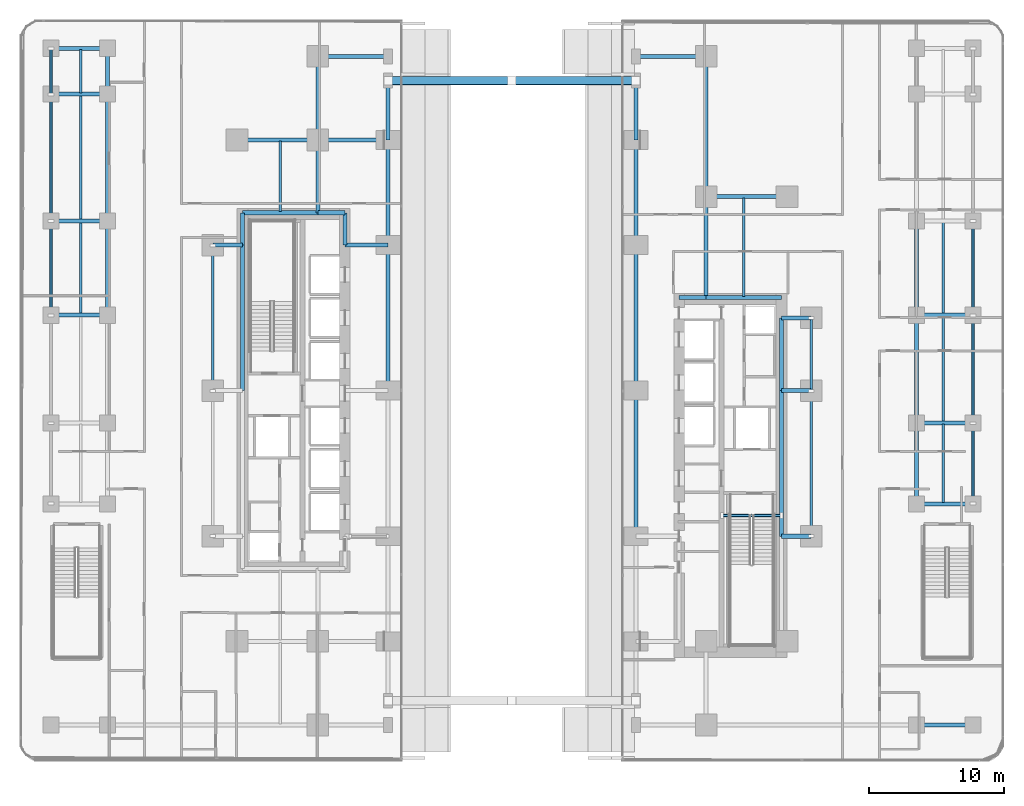
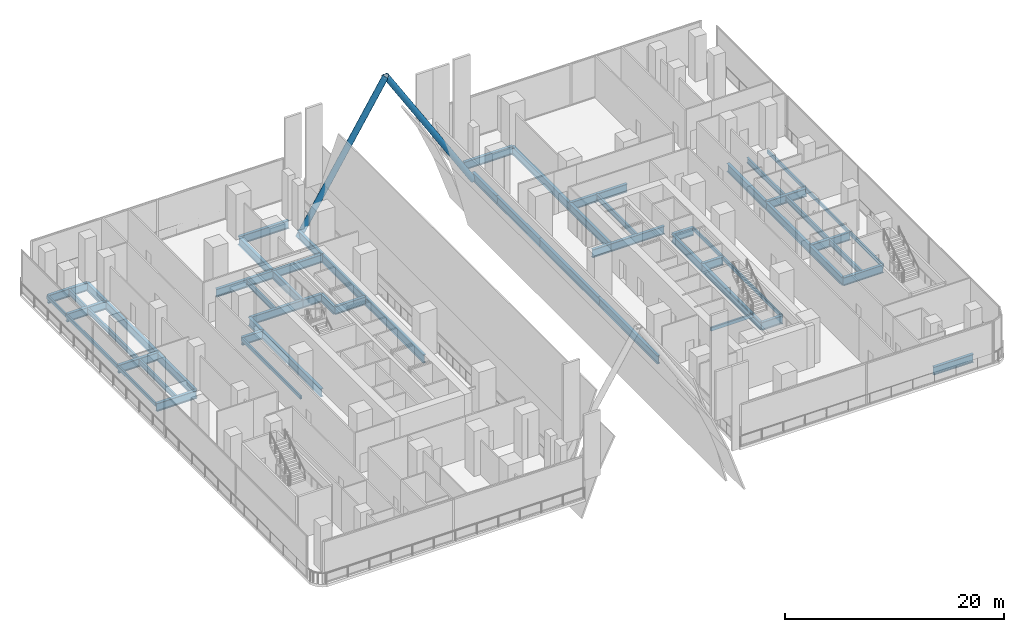
# One storey, part 2 of 31: 62 beams, 2 members.
"""IFC4 building model written with IfcOpenShell, lengths in metres."""

from ifc_helpers import new_model, si_unit, direction, frame, origin, origin_2d, place, context, subcontext, project, spatial, hollow_rectangle, hollow_circle, i_section, extrude, material, material_profile, profile_set, type_object, element, save


model = new_model("IFC4")

# Units and contexts
model_context = context("Model", 3, precision=1e-05, world=origin(), true_north=direction((0.0, 1.0)))
body_context = subcontext(model_context, "Body", "Model", "MODEL_VIEW")
ifc_project = project(units=[si_unit("LENGTHUNIT", "METRE"), si_unit("AREAUNIT", "SQUARE_METRE"), si_unit("VOLUMEUNIT", "CUBIC_METRE"), si_unit("PLANEANGLEUNIT", "RADIAN"), si_unit("MASSUNIT", "GRAM", prefix="KILO")], contexts=[model_context])

# Site, building, storey
site_placement = place(None, origin())
site = spatial("IfcSite", under=ifc_project, at=site_placement, CompositionType="ELEMENT")
building_placement = place(site_placement, origin())
building = spatial("IfcBuilding", under=site, at=building_placement, Name="Khairoan Windgate Tower", CompositionType="ELEMENT")
storey_placement = place(building_placement, frame((0.0, 0.0, 6.0)))
storey = spatial("IfcBuildingStorey", under=building, at=storey_placement, Name="L02", CompositionType="ELEMENT", Elevation=6.0)

# Beams
ifc_material_1 = material(Name="Steel S355", Category="steel")
ifc_material_profile_1 = material_profile(ifc_material_1, i_section(OverallWidth=0.300048828125, OverallDepth=0.89990234375, WebThickness=0.01611328125, FlangeThickness=0.028076171875, FilletRadius=0.028076171875, at=origin_2d()))
ifc_profile_set_1 = profile_set([ifc_material_profile_1], Name="Steel S355")
beam_type_1 = type_object("IfcBeamType", Name="Beam B-G1 H900x300x16x28", PredefinedType="BEAM", material=ifc_profile_set_1)
beam_1_placement = place(storey_placement, frame((30.0, -24.800048828125, -0.75), z_axis=(1.0, 0.0, 0.0), x_axis=(0.0, 1.0, 0.0)))
element("IfcBeam", 1, at=beam_1_placement, inside=storey, type_object=beam_type_1, Name="L02 E-W Primary Girder 06", PredefinedType="BEAM", context=body_context, shape_type="SweptSolid", body=[
    extrude(i_section(OverallWidth=0.300048828125, OverallDepth=0.89990234375, WebThickness=0.01611328125, FlangeThickness=0.028076171875, FilletRadius=0.028076171875, at=origin_2d()), origin(), (0.0, 0.0, 1.0), 4.199951171875),
])
beam_2_placement = place(storey_placement, frame((20.0, -10.800048828125, -0.75), z_axis=(1.0, 0.0, 0.0), x_axis=(0.0, 1.0, 0.0)))
element("IfcBeam", 2, at=beam_2_placement, inside=storey, type_object=beam_type_1, Name="L02 E-W Primary Girder 15", PredefinedType="BEAM", context=body_context, shape_type="SweptSolid", body=[
    extrude(i_section(OverallWidth=0.300048828125, OverallDepth=0.89990234375, WebThickness=0.01611328125, FlangeThickness=0.028076171875, FilletRadius=0.028076171875, at=origin_2d()), origin(), (0.0, 0.0, 1.0), 2.199951171875),
])
for number, where, z_axis, x_axis, name in (
    (3, (30.0, -8.39990234375, -0.75), (1.0, 0.0, 0.0), (0.0, 1.0, 0.0), "L02 E-W Primary Girder 17"),
    (4, (30.0, -2.39990234375, -0.75), (1.0, 0.0, 0.0), (0.0, 1.0, 0.0), "L02 E-W Primary Girder 19"),
):
    element("IfcBeam", number, at=place(storey_placement, frame(where, z_axis=z_axis, x_axis=x_axis)), inside=storey, type_object=beam_type_1, Name=name, PredefinedType="BEAM", context=body_context, shape_type="SweptSolid", body=[
        extrude(i_section(OverallWidth=0.300048828125, OverallDepth=0.89990234375, WebThickness=0.01611328125, FlangeThickness=0.028076171875, FilletRadius=0.028076171875, at=origin_2d()), origin(), (0.0, 0.0, 1.0), 4.199951171875),
    ])
for number, where, z_axis, x_axis, name in (
    (5, (20.0, 0.0, -0.75), (1.0, 0.0, 0.0), (0.0, 1.0, 0.0), "L02 E-W Primary Girder 22"),
    (6, (20.0, 5.39990234375, -0.75), (1.0, 0.0, 0.0), (0.0, 1.0, 0.0), "L02 E-W Primary Girder 23"),
):
    element("IfcBeam", number, at=place(storey_placement, frame(where, z_axis=z_axis, x_axis=x_axis)), inside=storey, type_object=beam_type_1, Name=name, PredefinedType="BEAM", context=body_context, shape_type="SweptSolid", body=[
        extrude(i_section(OverallWidth=0.300048828125, OverallDepth=0.89990234375, WebThickness=0.01611328125, FlangeThickness=0.028076171875, FilletRadius=0.028076171875, at=origin_2d()), origin(), (0.0, 0.0, 1.0), 2.199951171875),
    ])
for number, where, z_axis, x_axis, name in (
    (7, (-34.199951171875, 5.60009765625, -0.75), (1.0, 0.0, 0.0), (0.0, 1.0, 0.0), "L02 E-W Primary Girder 24"),
    (8, (30.0, 5.60009765625, -0.75), (1.0, 0.0, 0.0), (0.0, 1.0, 0.0), "L02 E-W Primary Girder 25"),
):
    element("IfcBeam", number, at=place(storey_placement, frame(where, z_axis=z_axis, x_axis=x_axis)), inside=storey, type_object=beam_type_1, Name=name, PredefinedType="BEAM", context=body_context, shape_type="SweptSolid", body=[
        extrude(i_section(OverallWidth=0.300048828125, OverallDepth=0.89990234375, WebThickness=0.01611328125, FlangeThickness=0.028076171875, FilletRadius=0.028076171875, at=origin_2d()), origin(), (0.0, 0.0, 1.0), 4.199951171875),
    ])
beam_3_placement = place(storey_placement, frame((12.39990234375, 6.89990234375, -0.75), z_axis=(1.0, 0.0, 0.0), x_axis=(0.0, 1.0, 0.0)))
element("IfcBeam", 9, at=beam_3_placement, inside=storey, type_object=beam_type_1, Name="L02 E-W Primary Girder 26", PredefinedType="BEAM", context=body_context, shape_type="SweptSolid", body=[
    extrude(i_section(OverallWidth=0.300048828125, OverallDepth=0.89990234375, WebThickness=0.01611328125, FlangeThickness=0.028076171875, FilletRadius=0.028076171875, at=origin_2d()), origin(), (0.0, 0.0, 1.0), 2.0),
])
beam_4_placement = place(storey_placement, frame((14.39990234375, 6.89990234375, -0.75), z_axis=(1.0, 0.0, 0.0), x_axis=(0.0, 1.0, 0.0)))
element("IfcBeam", 10, at=beam_4_placement, inside=storey, type_object=beam_type_1, Name="L02 E-W Primary Girder 27", PredefinedType="BEAM", context=body_context, shape_type="SweptSolid", body=[
    extrude(i_section(OverallWidth=0.300048828125, OverallDepth=0.89990234375, WebThickness=0.01611328125, FlangeThickness=0.028076171875, FilletRadius=0.028076171875, at=origin_2d()), origin(), (0.0, 0.0, 1.0), 5.60009765625),
])
beam_5_placement = place(storey_placement, frame((-22.199951171875, 10.800048828125, -0.75), z_axis=(1.0, 0.0, 0.0), x_axis=(0.0, 1.0, 0.0)))
element("IfcBeam", 11, at=beam_5_placement, inside=storey, type_object=beam_type_1, Name="L02 E-W Primary Girder 28", PredefinedType="BEAM", context=body_context, shape_type="SweptSolid", body=[
    extrude(i_section(OverallWidth=0.300048828125, OverallDepth=0.89990234375, WebThickness=0.01611328125, FlangeThickness=0.028076171875, FilletRadius=0.028076171875, at=origin_2d()), origin(), (0.0, 0.0, 1.0), 2.199951171875),
])
beam_6_placement = place(storey_placement, frame((-12.39990234375, 10.800048828125, -0.75), z_axis=(1.0, 0.0, 0.0), x_axis=(0.0, 1.0, 0.0)))
element("IfcBeam", 12, at=beam_6_placement, inside=storey, type_object=beam_type_1, Name="L02 E-W Primary Girder 29", PredefinedType="BEAM", context=body_context, shape_type="SweptSolid", body=[
    extrude(i_section(OverallWidth=0.300048828125, OverallDepth=0.89990234375, WebThickness=0.01611328125, FlangeThickness=0.028076171875, FilletRadius=0.028076171875, at=origin_2d()), origin(), (0.0, 0.0, 1.0), 3.199951171875),
])
beam_7_placement = place(storey_placement, frame((-34.199951171875, 12.60009765625, -0.75), z_axis=(1.0, 0.0, 0.0), x_axis=(0.0, 1.0, 0.0)))
element("IfcBeam", 13, at=beam_7_placement, inside=storey, type_object=beam_type_1, Name="L02 E-W Primary Girder 30", PredefinedType="BEAM", context=body_context, shape_type="SweptSolid", body=[
    extrude(i_section(OverallWidth=0.300048828125, OverallDepth=0.89990234375, WebThickness=0.01611328125, FlangeThickness=0.028076171875, FilletRadius=0.028076171875, at=origin_2d()), origin(), (0.0, 0.0, 1.0), 4.199951171875),
])
beam_8_placement = place(storey_placement, frame((-20.0, 13.199951171875, -0.75), z_axis=(1.0, 0.0, 0.0), x_axis=(0.0, 1.0, 0.0)))
element("IfcBeam", 14, at=beam_8_placement, inside=storey, type_object=beam_type_1, Name="L02 E-W Primary Girder 32", PredefinedType="BEAM", context=body_context, shape_type="SweptSolid", body=[
    extrude(i_section(OverallWidth=0.300048828125, OverallDepth=0.89990234375, WebThickness=0.01611328125, FlangeThickness=0.028076171875, FilletRadius=0.028076171875, at=origin_2d()), origin(), (0.0, 0.0, 1.0), 5.60009765625),
])
beam_9_placement = place(storey_placement, frame((-14.39990234375, 13.199951171875, -0.75), z_axis=(1.0, 0.0, 0.0), x_axis=(0.0, 1.0, 0.0)))
element("IfcBeam", 15, at=beam_9_placement, inside=storey, type_object=beam_type_1, Name="L02 E-W Primary Girder 33", PredefinedType="BEAM", context=body_context, shape_type="SweptSolid", body=[
    extrude(i_section(OverallWidth=0.300048828125, OverallDepth=0.89990234375, WebThickness=0.01611328125, FlangeThickness=0.028076171875, FilletRadius=0.028076171875, at=origin_2d()), origin(), (0.0, 0.0, 1.0), 2.0),
])
for number, where, z_axis, x_axis, name in (
    (16, (14.39990234375, 14.39990234375, -0.75), (1.0, 0.0, 0.0), (0.0, 1.0, 0.0), "L02 E-W Primary Girder 34"),
    (17, (-20.39990234375, 18.60009765625, -0.75), (1.0, 0.0, 0.0), (0.0, 1.0, 0.0), "L02 E-W Primary Girder 35"),
):
    element("IfcBeam", number, at=place(storey_placement, frame(where, z_axis=z_axis, x_axis=x_axis)), inside=storey, type_object=beam_type_1, Name=name, PredefinedType="BEAM", context=body_context, shape_type="SweptSolid", body=[
        extrude(i_section(OverallWidth=0.300048828125, OverallDepth=0.89990234375, WebThickness=0.01611328125, FlangeThickness=0.028076171875, FilletRadius=0.028076171875, at=origin_2d()), origin(), (0.0, 0.0, 1.0), 6.0),
    ])
beam_10_placement = place(storey_placement, frame((-14.39990234375, 18.60009765625, -0.75), z_axis=(1.0, 0.0, 0.0), x_axis=(0.0, 1.0, 0.0)))
element("IfcBeam", 18, at=beam_10_placement, inside=storey, type_object=beam_type_1, Name="L02 E-W Primary Girder 36", PredefinedType="BEAM", context=body_context, shape_type="SweptSolid", body=[
    extrude(i_section(OverallWidth=0.300048828125, OverallDepth=0.89990234375, WebThickness=0.01611328125, FlangeThickness=0.028076171875, FilletRadius=0.028076171875, at=origin_2d()), origin(), (0.0, 0.0, 1.0), 5.199951171875),
])
beam_11_placement = place(storey_placement, frame((-34.199951171875, 22.0, -0.75), z_axis=(1.0, 0.0, 0.0), x_axis=(0.0, 1.0, 0.0)))
element("IfcBeam", 19, at=beam_11_placement, inside=storey, type_object=beam_type_1, Name="L02 E-W Primary Girder 37", PredefinedType="BEAM", context=body_context, shape_type="SweptSolid", body=[
    extrude(i_section(OverallWidth=0.300048828125, OverallDepth=0.89990234375, WebThickness=0.01611328125, FlangeThickness=0.028076171875, FilletRadius=0.028076171875, at=origin_2d()), origin(), (0.0, 0.0, 1.0), 4.199951171875),
])
for number, where, z_axis, x_axis, name in (
    (20, (-14.39990234375, 24.800048828125, -0.75), (1.0, 0.0, 0.0), (0.0, 1.0, 0.0), "L02 E-W Primary Girder 39"),
    (21, (9.199951171875, 24.800048828125, -0.75), (1.0, 0.0, 0.0), (0.0, 1.0, 0.0), "L02 E-W Primary Girder 40"),
):
    element("IfcBeam", number, at=place(storey_placement, frame(where, z_axis=z_axis, x_axis=x_axis)), inside=storey, type_object=beam_type_1, Name=name, PredefinedType="BEAM", context=body_context, shape_type="SweptSolid", body=[
        extrude(i_section(OverallWidth=0.300048828125, OverallDepth=0.89990234375, WebThickness=0.01611328125, FlangeThickness=0.028076171875, FilletRadius=0.028076171875, at=origin_2d()), origin(), (0.0, 0.0, 1.0), 5.199951171875),
    ])
beam_12_placement = place(storey_placement, frame((-34.199951171875, 25.39990234375, -0.75), z_axis=(1.0, 0.0, 0.0), x_axis=(0.0, 1.0, 0.0)))
element("IfcBeam", 22, at=beam_12_placement, inside=storey, type_object=beam_type_1, Name="L02 E-W Primary Girder 41", PredefinedType="BEAM", context=body_context, shape_type="SweptSolid", body=[
    extrude(i_section(OverallWidth=0.300048828125, OverallDepth=0.89990234375, WebThickness=0.01611328125, FlangeThickness=0.028076171875, FilletRadius=0.028076171875, at=origin_2d()), origin(), (0.0, 0.0, 1.0), 4.199951171875),
])
beam_13_placement = place(storey_placement, frame((-30.0, 5.60009765625, -0.75), z_axis=(0.0, 1.0, 0.0), x_axis=(-1.0, 0.0, 0.0)))
element("IfcBeam", 23, at=beam_13_placement, inside=storey, type_object=beam_type_1, Name="L02 N-S Primary Beam 50", PredefinedType="BEAM", context=body_context, shape_type="SweptSolid", body=[
    extrude(i_section(OverallWidth=0.300048828125, OverallDepth=0.89990234375, WebThickness=0.01611328125, FlangeThickness=0.028076171875, FilletRadius=0.028076171875, at=origin_2d()), origin(), (0.0, 0.0, 1.0), 7.0),
])
beam_14_placement = place(storey_placement, frame((-30.0, 12.60009765625, -0.75), z_axis=(0.0, 1.0, 0.0), x_axis=(-1.0, 0.0, 0.0)))
element("IfcBeam", 24, at=beam_14_placement, inside=storey, type_object=beam_type_1, Name="L02 N-S Primary Beam 51", PredefinedType="BEAM", context=body_context, shape_type="SweptSolid", body=[
    extrude(i_section(OverallWidth=0.300048828125, OverallDepth=0.89990234375, WebThickness=0.01611328125, FlangeThickness=0.028076171875, FilletRadius=0.028076171875, at=origin_2d()), origin(), (0.0, 0.0, 1.0), 9.39990234375),
])
beam_15_placement = place(storey_placement, frame((-30.0, 22.0, -0.75), z_axis=(0.0, 1.0, 0.0), x_axis=(-1.0, 0.0, 0.0)))
element("IfcBeam", 25, at=beam_15_placement, inside=storey, type_object=beam_type_1, Name="L02 N-S Primary Beam 52", PredefinedType="BEAM", context=body_context, shape_type="SweptSolid", body=[
    extrude(i_section(OverallWidth=0.300048828125, OverallDepth=0.89990234375, WebThickness=0.01611328125, FlangeThickness=0.028076171875, FilletRadius=0.028076171875, at=origin_2d()), origin(), (0.0, 0.0, 1.0), 3.39990234375),
])
beam_16_placement = place(storey_placement, frame((-20.0, 0.0, -0.75), z_axis=(0.0, 1.0, 0.0), x_axis=(-1.0, 0.0, 0.0)))
element("IfcBeam", 26, at=beam_16_placement, inside=storey, type_object=beam_type_1, Name="L02 N-S Primary Beam 57", PredefinedType="BEAM", context=body_context, shape_type="SweptSolid", body=[
    extrude(i_section(OverallWidth=0.300048828125, OverallDepth=0.89990234375, WebThickness=0.01611328125, FlangeThickness=0.028076171875, FilletRadius=0.028076171875, at=origin_2d()), origin(), (0.0, 0.0, 1.0), 10.800048828125),
])
beam_17_placement = place(storey_placement, frame((-20.0, 10.800048828125, -0.75), z_axis=(0.0, 1.0, 0.0), x_axis=(-1.0, 0.0, 0.0)))
element("IfcBeam", 27, at=beam_17_placement, inside=storey, type_object=beam_type_1, Name="L02 N-S Primary Beam 58", PredefinedType="BEAM", context=body_context, shape_type="SweptSolid", body=[
    extrude(i_section(OverallWidth=0.300048828125, OverallDepth=0.89990234375, WebThickness=0.01611328125, FlangeThickness=0.028076171875, FilletRadius=0.028076171875, at=origin_2d()), origin(), (0.0, 0.0, 1.0), 2.39990234375),
])
beam_18_placement = place(storey_placement, frame((-14.39990234375, 13.199951171875, -0.75), z_axis=(0.0, 1.0, 0.0), x_axis=(-1.0, 0.0, 0.0)))
element("IfcBeam", 28, at=beam_18_placement, inside=storey, type_object=beam_type_1, Name="L02 N-S Primary Beam 61", PredefinedType="BEAM", context=body_context, shape_type="SweptSolid", body=[
    extrude(i_section(OverallWidth=0.300048828125, OverallDepth=0.89990234375, WebThickness=0.01611328125, FlangeThickness=0.028076171875, FilletRadius=0.028076171875, at=origin_2d()), origin(), (0.0, 0.0, 1.0), 5.400146484375),
])
beam_19_placement = place(storey_placement, frame((-14.39990234375, 18.60009765625, -0.75), z_axis=(0.0, 1.0, 0.0), x_axis=(-1.0, 0.0, 0.0)))
element("IfcBeam", 29, at=beam_19_placement, inside=storey, type_object=beam_type_1, Name="L02 N-S Primary Beam 62", PredefinedType="BEAM", context=body_context, shape_type="SweptSolid", body=[
    extrude(i_section(OverallWidth=0.300048828125, OverallDepth=0.89990234375, WebThickness=0.01611328125, FlangeThickness=0.028076171875, FilletRadius=0.028076171875, at=origin_2d()), origin(), (0.0, 0.0, 1.0), 6.199951171875),
])
beam_20_placement = place(storey_placement, frame((-12.39990234375, 10.800048828125, -0.75), z_axis=(0.0, 1.0, 0.0), x_axis=(-1.0, 0.0, 0.0)))
element("IfcBeam", 30, at=beam_20_placement, inside=storey, type_object=beam_type_1, Name="L02 N-S Primary Beam 64", PredefinedType="BEAM", context=body_context, shape_type="SweptSolid", body=[
    extrude(i_section(OverallWidth=0.300048828125, OverallDepth=0.89990234375, WebThickness=0.01611328125, FlangeThickness=0.028076171875, FilletRadius=0.028076171875, at=origin_2d()), origin(), (0.0, 0.0, 1.0), 2.39990234375),
])
beam_21_placement = place(storey_placement, frame((-9.199951171875, 0.0, -0.75), z_axis=(0.0, 1.0, 0.0), x_axis=(-1.0, 0.0, 0.0)))
element("IfcBeam", 31, at=beam_21_placement, inside=storey, type_object=beam_type_1, Name="L02 N-S Primary Beam 68", PredefinedType="BEAM", context=body_context, shape_type="SweptSolid", body=[
    extrude(i_section(OverallWidth=0.300048828125, OverallDepth=0.89990234375, WebThickness=0.01611328125, FlangeThickness=0.028076171875, FilletRadius=0.028076171875, at=origin_2d()), origin(), (0.0, 0.0, 1.0), 10.800048828125),
])
beam_22_placement = place(storey_placement, frame((-9.199951171875, 10.800048828125, -0.75), z_axis=(0.0, 1.0, 0.0), x_axis=(-1.0, 0.0, 0.0)))
element("IfcBeam", 32, at=beam_22_placement, inside=storey, type_object=beam_type_1, Name="L02 N-S Primary Beam 69", PredefinedType="BEAM", context=body_context, shape_type="SweptSolid", body=[
    extrude(i_section(OverallWidth=0.300048828125, OverallDepth=0.89990234375, WebThickness=0.01611328125, FlangeThickness=0.028076171875, FilletRadius=0.028076171875, at=origin_2d()), origin(), (0.0, 0.0, 1.0), 7.800048828125),
])
beam_23_placement = place(storey_placement, frame((-9.199951171875, 18.60009765625, -0.75), z_axis=(0.0, 1.0, 0.0), x_axis=(-1.0, 0.0, 0.0)))
element("IfcBeam", 33, at=beam_23_placement, inside=storey, type_object=beam_type_1, Name="L02 N-S Primary Beam 70", PredefinedType="BEAM", context=body_context, shape_type="SweptSolid", body=[
    extrude(i_section(OverallWidth=0.300048828125, OverallDepth=0.89990234375, WebThickness=0.01611328125, FlangeThickness=0.028076171875, FilletRadius=0.028076171875, at=origin_2d()), origin(), (0.0, 0.0, 1.0), 4.39990234375),
])
for number, where, z_axis, x_axis, name in (
    (34, (9.199951171875, -10.800048828125, -0.75), (0.0, 1.0, 0.0), (-1.0, 0.0, 0.0), "L02 N-S Primary Beam 73"),
    (35, (9.199951171875, 0.0, -0.75), (0.0, 1.0, 0.0), (-1.0, 0.0, 0.0), "L02 N-S Primary Beam 74"),
):
    element("IfcBeam", number, at=place(storey_placement, frame(where, z_axis=z_axis, x_axis=x_axis)), inside=storey, type_object=beam_type_1, Name=name, PredefinedType="BEAM", context=body_context, shape_type="SweptSolid", body=[
        extrude(i_section(OverallWidth=0.300048828125, OverallDepth=0.89990234375, WebThickness=0.01611328125, FlangeThickness=0.028076171875, FilletRadius=0.028076171875, at=origin_2d()), origin(), (0.0, 0.0, 1.0), 10.800048828125),
    ])
beam_24_placement = place(storey_placement, frame((9.199951171875, 10.800048828125, -0.75), z_axis=(0.0, 1.0, 0.0), x_axis=(-1.0, 0.0, 0.0)))
element("IfcBeam", 36, at=beam_24_placement, inside=storey, type_object=beam_type_1, Name="L02 N-S Primary Beam 75", PredefinedType="BEAM", context=body_context, shape_type="SweptSolid", body=[
    extrude(i_section(OverallWidth=0.300048828125, OverallDepth=0.89990234375, WebThickness=0.01611328125, FlangeThickness=0.028076171875, FilletRadius=0.028076171875, at=origin_2d()), origin(), (0.0, 0.0, 1.0), 7.800048828125),
])
beam_25_placement = place(storey_placement, frame((9.199951171875, 18.60009765625, -0.75), z_axis=(0.0, 1.0, 0.0), x_axis=(-1.0, 0.0, 0.0)))
element("IfcBeam", 37, at=beam_25_placement, inside=storey, type_object=beam_type_1, Name="L02 N-S Primary Beam 76", PredefinedType="BEAM", context=body_context, shape_type="SweptSolid", body=[
    extrude(i_section(OverallWidth=0.300048828125, OverallDepth=0.89990234375, WebThickness=0.01611328125, FlangeThickness=0.028076171875, FilletRadius=0.028076171875, at=origin_2d()), origin(), (0.0, 0.0, 1.0), 4.39990234375),
])
beam_26_placement = place(storey_placement, frame((14.39990234375, 6.89990234375, -0.75), z_axis=(0.0, 1.0, 0.0), x_axis=(-1.0, 0.0, 0.0)))
element("IfcBeam", 38, at=beam_26_placement, inside=storey, type_object=beam_type_1, Name="L02 N-S Primary Beam 79", PredefinedType="BEAM", context=body_context, shape_type="SweptSolid", body=[
    extrude(i_section(OverallWidth=0.300048828125, OverallDepth=0.89990234375, WebThickness=0.01611328125, FlangeThickness=0.028076171875, FilletRadius=0.028076171875, at=origin_2d()), origin(), (0.0, 0.0, 1.0), 7.5),
])
beam_27_placement = place(storey_placement, frame((14.39990234375, 14.39990234375, -0.75), z_axis=(0.0, 1.0, 0.0), x_axis=(-1.0, 0.0, 0.0)))
element("IfcBeam", 39, at=beam_27_placement, inside=storey, type_object=beam_type_1, Name="L02 N-S Primary Beam 80", PredefinedType="BEAM", context=body_context, shape_type="SweptSolid", body=[
    extrude(i_section(OverallWidth=0.300048828125, OverallDepth=0.89990234375, WebThickness=0.01611328125, FlangeThickness=0.028076171875, FilletRadius=0.028076171875, at=origin_2d()), origin(), (0.0, 0.0, 1.0), 10.400146484375),
])
beam_28_placement = place(storey_placement, frame((20.0, -10.800048828125, -0.75), z_axis=(0.0, 1.0, 0.0), x_axis=(-1.0, 0.0, 0.0)))
element("IfcBeam", 40, at=beam_28_placement, inside=storey, type_object=beam_type_1, Name="L02 N-S Primary Beam 82", PredefinedType="BEAM", context=body_context, shape_type="SweptSolid", body=[
    extrude(i_section(OverallWidth=0.300048828125, OverallDepth=0.89990234375, WebThickness=0.01611328125, FlangeThickness=0.028076171875, FilletRadius=0.028076171875, at=origin_2d()), origin(), (0.0, 0.0, 1.0), 10.800048828125),
])
beam_29_placement = place(storey_placement, frame((20.0, 0.0, -0.75), z_axis=(0.0, 1.0, 0.0), x_axis=(-1.0, 0.0, 0.0)))
element("IfcBeam", 41, at=beam_29_placement, inside=storey, type_object=beam_type_1, Name="L02 N-S Primary Beam 83", PredefinedType="BEAM", context=body_context, shape_type="SweptSolid", body=[
    extrude(i_section(OverallWidth=0.300048828125, OverallDepth=0.89990234375, WebThickness=0.01611328125, FlangeThickness=0.028076171875, FilletRadius=0.028076171875, at=origin_2d()), origin(), (0.0, 0.0, 1.0), 5.39990234375),
])
beam_30_placement = place(storey_placement, frame((30.0, -8.39990234375, -0.75), z_axis=(0.0, 1.0, 0.0), x_axis=(-1.0, 0.0, 0.0)))
element("IfcBeam", 42, at=beam_30_placement, inside=storey, type_object=beam_type_1, Name="L02 N-S Primary Beam 86", PredefinedType="BEAM", context=body_context, shape_type="SweptSolid", body=[
    extrude(i_section(OverallWidth=0.300048828125, OverallDepth=0.89990234375, WebThickness=0.01611328125, FlangeThickness=0.028076171875, FilletRadius=0.028076171875, at=origin_2d()), origin(), (0.0, 0.0, 1.0), 6.0),
])
beam_31_placement = place(storey_placement, frame((30.0, -2.39990234375, -0.75), z_axis=(0.0, 1.0, 0.0), x_axis=(-1.0, 0.0, 0.0)))
element("IfcBeam", 43, at=beam_31_placement, inside=storey, type_object=beam_type_1, Name="L02 N-S Primary Beam 87", PredefinedType="BEAM", context=body_context, shape_type="SweptSolid", body=[
    extrude(i_section(OverallWidth=0.300048828125, OverallDepth=0.89990234375, WebThickness=0.01611328125, FlangeThickness=0.028076171875, FilletRadius=0.028076171875, at=origin_2d()), origin(), (0.0, 0.0, 1.0), 8.0),
])
beam_32_placement = place(storey_placement, frame((30.0, 5.60009765625, -0.75), z_axis=(0.0, 1.0, 0.0), x_axis=(-1.0, 0.0, 0.0)))
element("IfcBeam", 44, at=beam_32_placement, inside=storey, type_object=beam_type_1, Name="L02 N-S Primary Beam 88", PredefinedType="BEAM", context=body_context, shape_type="SweptSolid", body=[
    extrude(i_section(OverallWidth=0.300048828125, OverallDepth=0.89990234375, WebThickness=0.01611328125, FlangeThickness=0.028076171875, FilletRadius=0.028076171875, at=origin_2d()), origin(), (0.0, 0.0, 1.0), 7.0),
])
ifc_material_2 = material(Name="Steel S355", Category="steel")
ifc_material_profile_2 = material_profile(ifc_material_2, i_section(OverallWidth=0.199951171875, OverallDepth=0.60009765625, WebThickness=0.010986328125, FlangeThickness=0.01708984375, FilletRadius=0.02197265625, at=origin_2d()))
ifc_profile_set_2 = profile_set([ifc_material_profile_2], Name="Steel S355")
beam_type_2 = type_object("IfcBeamType", Name="Beam J-S1 H600x200x11x17", PredefinedType="JOIST", material=ifc_profile_set_2)
beam_33_placement = place(storey_placement, frame((-32.0, 5.68994140625, -0.60009765625), z_axis=(0.0, 1.0, 0.0), x_axis=(-1.0, 0.0, 0.0)))
element("IfcBeam", 45, at=beam_33_placement, inside=storey, type_object=beam_type_2, Name="L02 Secondary Floor Joist 03", PredefinedType="JOIST", context=body_context, shape_type="SweptSolid", body=[
    extrude(i_section(OverallWidth=0.199951171875, OverallDepth=0.60009765625, WebThickness=0.010986328125, FlangeThickness=0.01708984375, FilletRadius=0.02197265625, at=origin_2d()), origin(), (0.0, 0.0, 1.0), 6.820068359375),
])
beam_34_placement = place(storey_placement, frame((-32.0, 12.68994140625, -0.60009765625), z_axis=(0.0, 1.0, 0.0), x_axis=(-1.0, 0.0, 0.0)))
element("IfcBeam", 46, at=beam_34_placement, inside=storey, type_object=beam_type_2, Name="L02 Secondary Floor Joist 04", PredefinedType="JOIST", context=body_context, shape_type="SweptSolid", body=[
    extrude(i_section(OverallWidth=0.199951171875, OverallDepth=0.60009765625, WebThickness=0.010986328125, FlangeThickness=0.01708984375, FilletRadius=0.02197265625, at=origin_2d()), origin(), (0.0, 0.0, 1.0), 9.219970703125),
])
beam_35_placement = place(storey_placement, frame((-32.0, 22.090087890625, -0.60009765625), z_axis=(0.0, 1.0, 0.0), x_axis=(-1.0, 0.0, 0.0)))
element("IfcBeam", 47, at=beam_35_placement, inside=storey, type_object=beam_type_2, Name="L02 Secondary Floor Joist 05", PredefinedType="JOIST", context=body_context, shape_type="SweptSolid", body=[
    extrude(i_section(OverallWidth=0.199951171875, OverallDepth=0.60009765625, WebThickness=0.010986328125, FlangeThickness=0.01708984375, FilletRadius=0.02197265625, at=origin_2d()), origin(), (0.0, 0.0, 1.0), 3.219970703125),
])
beam_36_placement = place(storey_placement, frame((-17.199951171875, 13.2900390625, -0.60009765625), z_axis=(0.0, 1.0, 0.0), x_axis=(-1.0, 0.0, 0.0)))
element("IfcBeam", 48, at=beam_36_placement, inside=storey, type_object=beam_type_2, Name="L02 Secondary Floor Joist 08", PredefinedType="JOIST", context=body_context, shape_type="SweptSolid", body=[
    extrude(i_section(OverallWidth=0.199951171875, OverallDepth=0.60009765625, WebThickness=0.010986328125, FlangeThickness=0.01708984375, FilletRadius=0.02197265625, at=origin_2d()), origin(), (0.0, 0.0, 1.0), 5.219970703125),
])
beam_37_placement = place(storey_placement, frame((17.199951171875, 6.989990234375, -0.60009765625), z_axis=(0.0, 1.0, 0.0), x_axis=(-1.0, 0.0, 0.0)))
element("IfcBeam", 49, at=beam_37_placement, inside=storey, type_object=beam_type_2, Name="L02 Secondary Floor Joist 09", PredefinedType="JOIST", context=body_context, shape_type="SweptSolid", body=[
    extrude(i_section(OverallWidth=0.199951171875, OverallDepth=0.60009765625, WebThickness=0.010986328125, FlangeThickness=0.01708984375, FilletRadius=0.02197265625, at=origin_2d()), origin(), (0.0, 0.0, 1.0), 7.320068359375),
])
beam_38_placement = place(storey_placement, frame((32.0, -8.31005859375, -0.60009765625), z_axis=(0.0, 1.0, 0.0), x_axis=(-1.0, 0.0, 0.0)))
element("IfcBeam", 50, at=beam_38_placement, inside=storey, type_object=beam_type_2, Name="L02 Secondary Floor Joist 10", PredefinedType="JOIST", context=body_context, shape_type="SweptSolid", body=[
    extrude(i_section(OverallWidth=0.199951171875, OverallDepth=0.60009765625, WebThickness=0.010986328125, FlangeThickness=0.01708984375, FilletRadius=0.02197265625, at=origin_2d()), origin(), (0.0, 0.0, 1.0), 5.820068359375),
])
beam_39_placement = place(storey_placement, frame((32.0, -2.31005859375, -0.60009765625), z_axis=(0.0, 1.0, 0.0), x_axis=(-1.0, 0.0, 0.0)))
element("IfcBeam", 51, at=beam_39_placement, inside=storey, type_object=beam_type_2, Name="L02 Secondary Floor Joist 11", PredefinedType="JOIST", context=body_context, shape_type="SweptSolid", body=[
    extrude(i_section(OverallWidth=0.199951171875, OverallDepth=0.60009765625, WebThickness=0.010986328125, FlangeThickness=0.01708984375, FilletRadius=0.02197265625, at=origin_2d()), origin(), (0.0, 0.0, 1.0), 7.820068359375),
])
beam_40_placement = place(storey_placement, frame((32.0, 5.68994140625, -0.60009765625), z_axis=(0.0, 1.0, 0.0), x_axis=(-1.0, 0.0, 0.0)))
element("IfcBeam", 52, at=beam_40_placement, inside=storey, type_object=beam_type_2, Name="L02 Secondary Floor Joist 12", PredefinedType="JOIST", context=body_context, shape_type="SweptSolid", body=[
    extrude(i_section(OverallWidth=0.199951171875, OverallDepth=0.60009765625, WebThickness=0.010986328125, FlangeThickness=0.01708984375, FilletRadius=0.02197265625, at=origin_2d()), origin(), (0.0, 0.0, 1.0), 6.820068359375),
])
ifc_material_3 = material(Name="Steel S355", Category="steel")
ifc_material_profile_3 = material_profile(ifc_material_3, hollow_rectangle(XDim=0.199951171875, YDim=0.39990234375, WallThickness=0.013916015625, InnerFilletRadius=0.013916015625, OuterFilletRadius=0.028076171875, at=origin_2d()))
ifc_profile_set_3 = profile_set([ifc_material_profile_3], Name="Steel S355")
beam_type_3 = type_object("IfcBeamType", Name="Beam SP-B1 RHS400x200x14", PredefinedType="SPANDREL", material=ifc_profile_set_3)
beam_41_placement = place(storey_placement, frame((-34.199951171875, 5.60009765625, -0.5), z_axis=(0.0, 1.0, 0.0), x_axis=(-1.0, 0.0, 0.0)))
element("IfcBeam", 53, at=beam_41_placement, inside=storey, type_object=beam_type_3, Name="L02 Spandrel Beam 45", PredefinedType="SPANDREL", context=body_context, shape_type="SweptSolid", body=[
    extrude(hollow_rectangle(XDim=0.199951171875, YDim=0.39990234375, WallThickness=0.013916015625, InnerFilletRadius=0.013916015625, OuterFilletRadius=0.028076171875, at=origin_2d()), origin(), (0.0, 0.0, 1.0), 7.0),
])
beam_42_placement = place(storey_placement, frame((-34.199951171875, 12.60009765625, -0.5), z_axis=(0.0, 1.0, 0.0), x_axis=(-1.0, 0.0, 0.0)))
element("IfcBeam", 54, at=beam_42_placement, inside=storey, type_object=beam_type_3, Name="L02 Spandrel Beam 46", PredefinedType="SPANDREL", context=body_context, shape_type="SweptSolid", body=[
    extrude(hollow_rectangle(XDim=0.199951171875, YDim=0.39990234375, WallThickness=0.013916015625, InnerFilletRadius=0.013916015625, OuterFilletRadius=0.028076171875, at=origin_2d()), origin(), (0.0, 0.0, 1.0), 9.39990234375),
])
beam_43_placement = place(storey_placement, frame((-34.199951171875, 22.0, -0.5), z_axis=(0.0, 1.0, 0.0), x_axis=(-1.0, 0.0, 0.0)))
element("IfcBeam", 55, at=beam_43_placement, inside=storey, type_object=beam_type_3, Name="L02 Spandrel Beam 47", PredefinedType="SPANDREL", context=body_context, shape_type="SweptSolid", body=[
    extrude(hollow_rectangle(XDim=0.199951171875, YDim=0.39990234375, WallThickness=0.013916015625, InnerFilletRadius=0.013916015625, OuterFilletRadius=0.028076171875, at=origin_2d()), origin(), (0.0, 0.0, 1.0), 3.39990234375),
])
for number, where, z_axis, x_axis, name in (
    (56, (-22.199951171875, 0.0, -0.5), (0.0, 1.0, 0.0), (-1.0, 0.0, 0.0), "L02 Spandrel Beam 54"),
    (57, (22.199951171875, -10.800048828125, -0.5), (0.0, 1.0, 0.0), (-1.0, 0.0, 0.0), "L02 Spandrel Beam 84"),
):
    element("IfcBeam", number, at=place(storey_placement, frame(where, z_axis=z_axis, x_axis=x_axis)), inside=storey, type_object=beam_type_3, Name=name, PredefinedType="SPANDREL", context=body_context, shape_type="SweptSolid", body=[
        extrude(hollow_rectangle(XDim=0.199951171875, YDim=0.39990234375, WallThickness=0.013916015625, InnerFilletRadius=0.013916015625, OuterFilletRadius=0.028076171875, at=origin_2d()), origin(), (0.0, 0.0, 1.0), 10.800048828125),
    ])
beam_44_placement = place(storey_placement, frame((22.199951171875, 0.0, -0.5), z_axis=(0.0, 1.0, 0.0), x_axis=(-1.0, 0.0, 0.0)))
element("IfcBeam", 58, at=beam_44_placement, inside=storey, type_object=beam_type_3, Name="L02 Spandrel Beam 85", PredefinedType="SPANDREL", context=body_context, shape_type="SweptSolid", body=[
    extrude(hollow_rectangle(XDim=0.199951171875, YDim=0.39990234375, WallThickness=0.013916015625, InnerFilletRadius=0.013916015625, OuterFilletRadius=0.028076171875, at=origin_2d()), origin(), (0.0, 0.0, 1.0), 5.39990234375),
])
beam_45_placement = place(storey_placement, frame((34.199951171875, -8.39990234375, -0.5), z_axis=(0.0, 1.0, 0.0), x_axis=(-1.0, 0.0, 0.0)))
element("IfcBeam", 59, at=beam_45_placement, inside=storey, type_object=beam_type_3, Name="L02 Spandrel Beam 91", PredefinedType="SPANDREL", context=body_context, shape_type="SweptSolid", body=[
    extrude(hollow_rectangle(XDim=0.199951171875, YDim=0.39990234375, WallThickness=0.013916015625, InnerFilletRadius=0.013916015625, OuterFilletRadius=0.028076171875, at=origin_2d()), origin(), (0.0, 0.0, 1.0), 6.0),
])
beam_46_placement = place(storey_placement, frame((34.199951171875, -2.39990234375, -0.5), z_axis=(0.0, 1.0, 0.0), x_axis=(-1.0, 0.0, 0.0)))
element("IfcBeam", 60, at=beam_46_placement, inside=storey, type_object=beam_type_3, Name="L02 Spandrel Beam 92", PredefinedType="SPANDREL", context=body_context, shape_type="SweptSolid", body=[
    extrude(hollow_rectangle(XDim=0.199951171875, YDim=0.39990234375, WallThickness=0.013916015625, InnerFilletRadius=0.013916015625, OuterFilletRadius=0.028076171875, at=origin_2d()), origin(), (0.0, 0.0, 1.0), 8.0),
])
beam_47_placement = place(storey_placement, frame((34.199951171875, 5.60009765625, -0.5), z_axis=(0.0, 1.0, 0.0), x_axis=(-1.0, 0.0, 0.0)))
element("IfcBeam", 61, at=beam_47_placement, inside=storey, type_object=beam_type_3, Name="L02 Spandrel Beam 93", PredefinedType="SPANDREL", context=body_context, shape_type="SweptSolid", body=[
    extrude(hollow_rectangle(XDim=0.199951171875, YDim=0.39990234375, WallThickness=0.013916015625, InnerFilletRadius=0.013916015625, OuterFilletRadius=0.028076171875, at=origin_2d()), origin(), (0.0, 0.0, 1.0), 7.0),
])
beam_48_placement = place(storey_placement, frame((15.550048828125, -9.260009765625, -0.5), z_axis=(1.0, 0.0, 0.0), x_axis=(0.0, 1.0, 0.0)))
element("IfcBeam", 62, at=beam_48_placement, inside=storey, type_object=beam_type_3, Name="Stair ST1 Landing Trimmer Beam L02", PredefinedType="SPANDREL", context=body_context, shape_type="SweptSolid", body=[
    extrude(hollow_rectangle(XDim=0.199951171875, YDim=0.39990234375, WallThickness=0.013916015625, InnerFilletRadius=0.013916015625, OuterFilletRadius=0.028076171875, at=origin_2d()), origin(), (0.0, 0.0, 1.0), 4.449951171875),
])

# Members
ifc_material_4 = material(Name="Steel S355", Category="steel")
ifc_material_profile_4 = material_profile(ifc_material_4, hollow_circle(Radius=0.304931640625, WallThickness=0.030029296875, at=origin_2d()))
ifc_profile_set_4 = profile_set([ifc_material_profile_4], Name="Steel S355")
member_type = type_object("IfcMemberType", Name="Structural Member CH-AR1 CHS610x30", PredefinedType="CHORD", material=ifc_profile_set_4)
for number, where, z_axis, x_axis, name in (
    (63, (-9.199951171875, 23.0, -1.199951171875), (0.529221088311, 0.0, 0.848483965486), (0.0, 1.0, 0.0), "Monumental Podium Arch Structural Rib N-1"),
    (64, (0.0, 23.0, 13.550048828125), (0.529221088311, 0.0, -0.848483965486), (0.0, 1.0, 0.0), "Monumental Podium Arch Structural Rib N-2"),
):
    element("IfcMember", number, at=place(storey_placement, frame(where, z_axis=z_axis, x_axis=x_axis)), inside=storey, type_object=member_type, Name=name, PredefinedType="CHORD", context=body_context, shape_type="SweptSolid", body=[
        extrude(hollow_circle(Radius=0.304931640625, WallThickness=0.030029296875, at=origin_2d()), origin(), (0.0, 0.0, 1.0), 17.384033203125),
    ])

save(model, "model.ifc")
